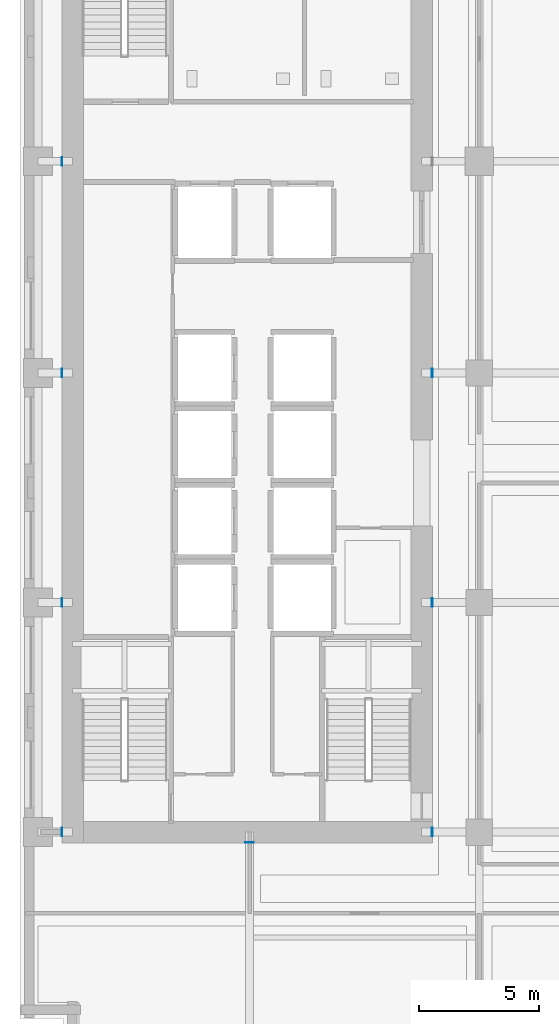
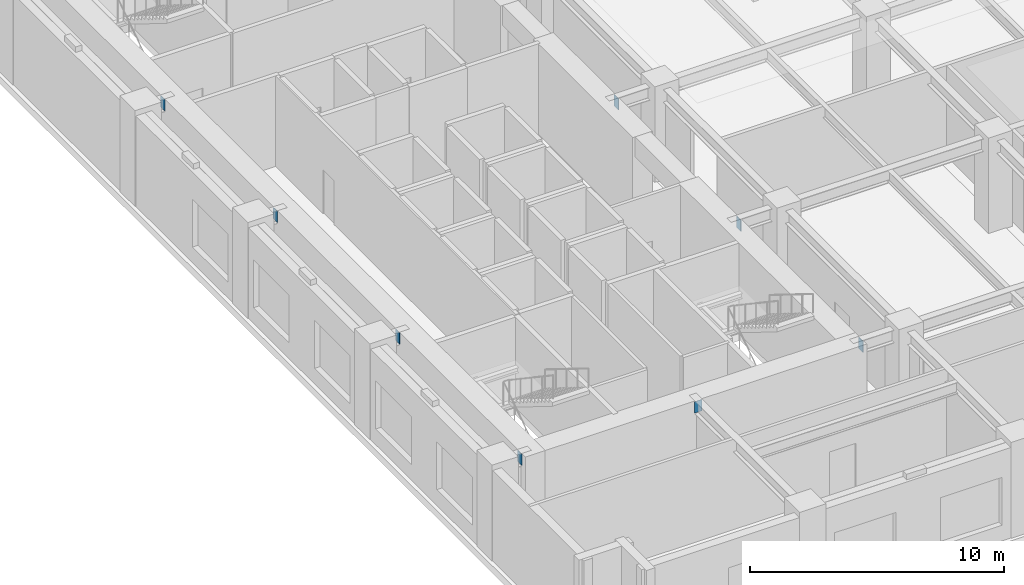
# One storey, part 13 of 21: 8 discrete accessories.
"""IFC4 building model written with IfcOpenShell, lengths in metres."""

from ifc_helpers import new_model, si_unit, direction, frame, origin, origin_2d, place, context, subcontext, project, spatial, rectangle, extrude, material, layer, layer_set, type_object, element, save


model = new_model("IFC4")

# Units and contexts
model_context = context("Model", 3, precision=1e-05, world=origin(), true_north=direction((0.0, 1.0)))
body_context = subcontext(model_context, "Body", "Model", "MODEL_VIEW")
ifc_project = project(units=[si_unit("LENGTHUNIT", "METRE"), si_unit("AREAUNIT", "SQUARE_METRE"), si_unit("VOLUMEUNIT", "CUBIC_METRE"), si_unit("PLANEANGLEUNIT", "RADIAN"), si_unit("MASSUNIT", "GRAM", prefix="KILO")], contexts=[model_context])

# Site, building, storey
site_placement = place(None, origin())
site = spatial("IfcSite", under=ifc_project, at=site_placement, CompositionType="ELEMENT")
building_placement = place(site_placement, origin())
building = spatial("IfcBuilding", under=site, at=building_placement, Name="Norrvale University Quadrangle", CompositionType="ELEMENT")
storey_placement = place(building_placement, frame((0.0, 0.0, 19.60009765625)))
storey = spatial("IfcBuildingStorey", under=building, at=storey_placement, Name="L04", CompositionType="ELEMENT", Elevation=19.60009765625)

# Discrete accessories
ifc_material = material(Name="Steel 350W", Category="steel")
ifc_layer = layer(ifc_material, 0.02490234375, Name="Steel 350W")
ifc_layer_set = layer_set([ifc_layer], Name="Steel 350W")
discrete_accessory_type = type_object("IfcDiscreteAccessoryType", Name="Accessory Cast In Embed Plate", PredefinedType="ANCHORPLATE", material=ifc_layer_set)
for number, where, z_axis, x_axis, name in (
    (1, (1.762451171875, 9.60009765625, 3.759765625), (0.0, 0.0, 1.0), (1.0, 0.0, 0.0), "Core Wall Cast-in Embed Plate L04-GCW069"),
    (2, (17.237548828125, 9.60009765625, 3.759765625), (0.0, 0.0, 1.0), (1.0, 0.0, 0.0), "Core Wall Cast-in Embed Plate L04-GCE070"),
    (3, (1.762451171875, 19.199951171875, 3.759765625), (0.0, 0.0, 1.0), (1.0, 0.0, 0.0), "Core Wall Cast-in Embed Plate L04-GCW071"),
    (4, (17.237548828125, 19.199951171875, 3.759765625), (0.0, 0.0, 1.0), (1.0, 0.0, 0.0), "Core Wall Cast-in Embed Plate L04-GCE072"),
    (5, (1.762451171875, 28.800048828125, 3.759765625), (0.0, 0.0, 1.0), (1.0, 0.0, 0.0), "Core Wall Cast-in Embed Plate L04-GCW073"),
    (6, (17.237548828125, 28.800048828125, 3.759765625), (0.0, 0.0, 1.0), (1.0, 0.0, 0.0), "Core Wall Cast-in Embed Plate L04-GCE074"),
    (7, (1.762451171875, 37.64990234375, 3.759765625), (0.0, 0.0, 1.0), (1.0, 0.0, 0.0), "Core Wall Cast-in Embed Plate L04-GCW075"),
):
    element("IfcDiscreteAccessory", number, at=place(storey_placement, frame(where, z_axis=z_axis, x_axis=x_axis)), inside=storey, type_object=discrete_accessory_type, Name=name, PredefinedType="ANCHORPLATE", context=body_context, shape_type="SweptSolid", body=[
        extrude(rectangle(XDim=0.02490234375, YDim=0.35009765625, at=origin_2d()), origin(), (0.0, 0.0, 1.0), 0.5400390625),
    ])
discrete_accessory_placement = place(storey_placement, frame((9.60009765625, 9.16259765625, 3.759765625), z_axis=(0.0, 0.0, 1.0), x_axis=(1.0, 0.0, 0.0)))
element("IfcDiscreteAccessory", 8, at=discrete_accessory_placement, inside=storey, type_object=discrete_accessory_type, Name="Core Wall Cast-in Embed Plate L04-GCS102", PredefinedType="ANCHORPLATE", context=body_context, shape_type="SweptSolid", body=[
    extrude(rectangle(XDim=0.35009765625, YDim=0.02490234375, at=origin_2d()), origin(), (0.0, 0.0, 1.0), 0.5400390625),
])

save(model, "model.ifc")
